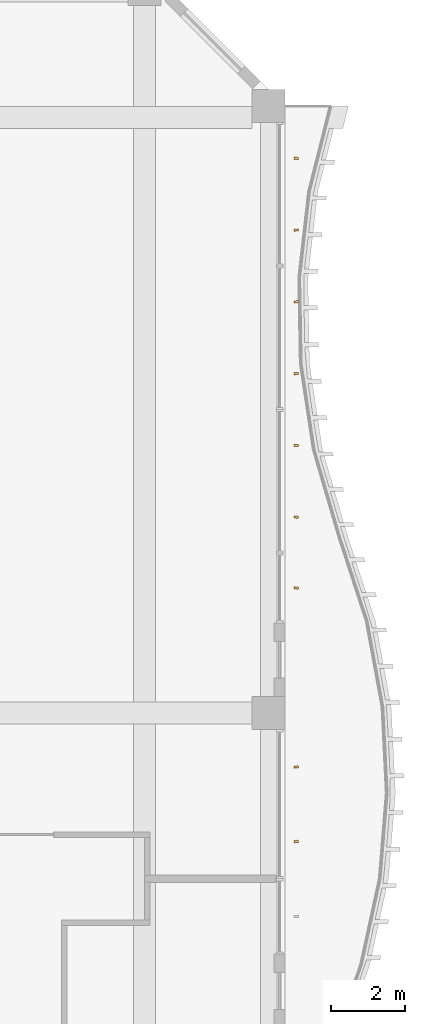
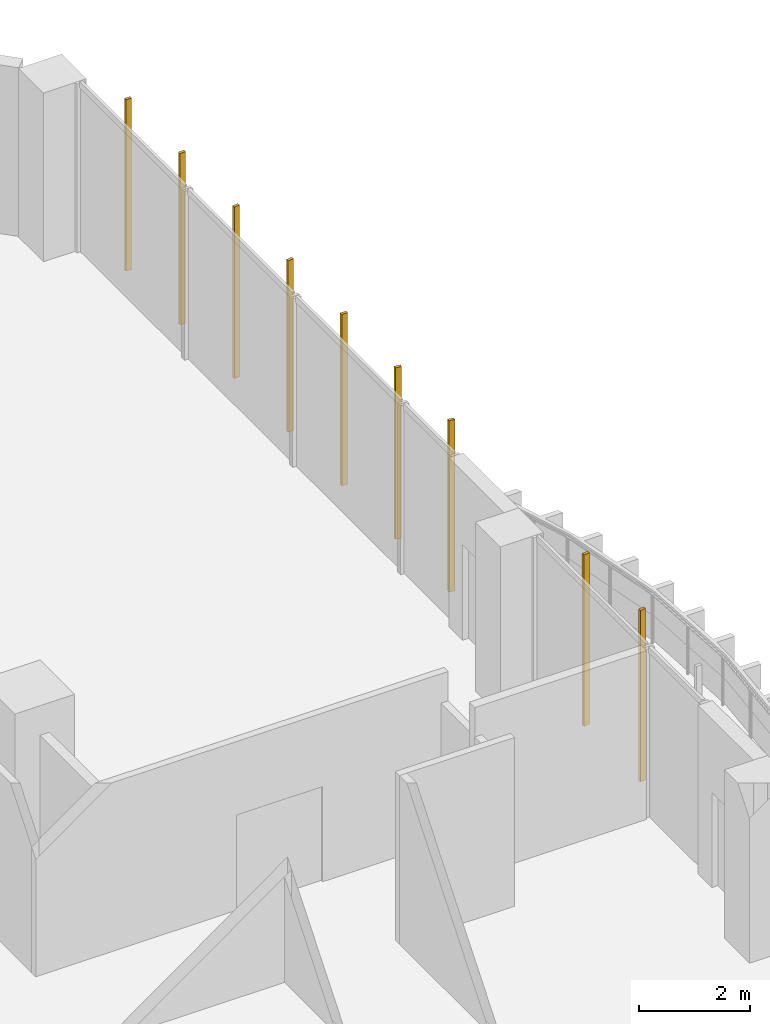
# One storey, part 28 of 28: 9 shading devices.
"""IFC4 building model written with IfcOpenShell, lengths in metres."""

from ifc_helpers import new_model, si_unit, direction, frame, origin, origin_2d, place, context, subcontext, project, spatial, rectangle, extrude, source, transform, mapped, material, material_profile, profile_set, type_object, element, save


model = new_model("IFC4")

# Units and contexts
model_context = context("Model", 3, precision=1e-05, world=origin(), true_north=direction((0.0, 1.0)))
body_context = subcontext(model_context, "Body", "Model", "MODEL_VIEW")
ifc_project = project(units=[si_unit("LENGTHUNIT", "METRE"), si_unit("AREAUNIT", "SQUARE_METRE"), si_unit("VOLUMEUNIT", "CUBIC_METRE"), si_unit("PLANEANGLEUNIT", "RADIAN"), si_unit("MASSUNIT", "GRAM", prefix="KILO")], contexts=[model_context])

# Site, building, storey
site_placement = place(None, origin())
site = spatial("IfcSite", under=ifc_project, at=site_placement, CompositionType="ELEMENT")
building_placement = place(site_placement, origin())
building = spatial("IfcBuilding", under=site, at=building_placement, Name="Kilnfold Tower and Market Hall", CompositionType="ELEMENT")
storey_placement = place(building_placement, frame((0.0, 0.0, 75.199951171875)))
storey = spatial("IfcBuildingStorey", under=building, at=storey_placement, Name="L17", CompositionType="ELEMENT", Elevation=75.199951171875)

# Shading devices
ifc_material = material(Name="Terracotta", Category="masonry")
ifc_material_profile = material_profile(ifc_material, rectangle(XDim=0.06005859375, YDim=0.1201171875, at=origin_2d()), Name="BAG 60x120")
ifc_profile_set = profile_set([ifc_material_profile], Name="Terracotta")
shading_device_type = type_object("IfcShadingDeviceType", Name="BAGUETTE", PredefinedType="USERDEFINED", material=ifc_profile_set)
shared_shape = source(origin(), body_context, "Body", "SweptSolid", [
    extrude(rectangle(XDim=0.06005859375, YDim=0.1201171875, at=origin_2d()), origin(), (0.0, 0.0, 1.0), 3.780029296875),
])
for number, where, z_axis, x_axis, name in (
    (1, (33.300048828125, 4.512451171875, 0.0), (0.0, 0.0, 1.0), (-0.135426793415, 0.990787355402, 0.0), "Terracotta baguette L17 E"),
    (2, (33.300048828125, 6.53759765625, 0.0), (0.0, 0.0, 1.0), (-0.108743692168, 0.994069821196, 0.0), "Terracotta baguette L17 E"),
    (3, (33.300048828125, 11.39990234375, 0.0), (0.0, 0.0, 1.0), (0.133641988542, 0.991029676094, 0.0), "Terracotta baguette L17 E"),
    (4, (33.300048828125, 13.324951171875, 0.0), (0.0, 0.0, 1.0), (0.116512995338, 0.993189167237, 0.0), "Terracotta baguette L17 E"),
    (5, (33.300048828125, 15.27490234375, 0.0), (0.0, 0.0, 1.0), (0.016084260797, 0.99987063991, 0.0), "Terracotta baguette L17 E"),
    (6, (33.300048828125, 17.22509765625, 0.0), (0.0, 0.0, 1.0), (-0.096014268674, 0.99537995771, 0.0), "Terracotta baguette L17 E"),
    (7, (33.300048828125, 19.175048828125, 0.0), (0.0, 0.0, 1.0), (-0.138889646875, 0.990307864248, 0.0), "Terracotta baguette L17 E"),
    (8, (33.300048828125, 21.125, 0.0), (0.0, 0.0, 1.0), (-0.082343796113, 0.996603983156, 0.0), "Terracotta baguette L17 E"),
    (9, (33.300048828125, 23.074951171875, 0.0), (0.0, 0.0, 1.0), (0.033669763032, 0.999433012791, 0.0), "Terracotta baguette L17 E"),
):
    element("IfcShadingDevice", number, at=place(storey_placement, frame(where, z_axis=z_axis, x_axis=x_axis)), inside=storey, type_object=shading_device_type, Name=name, ObjectType="BAGUETTE", PredefinedType="USERDEFINED", context=body_context, shape_type="MappedRepresentation", body=[
        mapped(shared_shape, transform((0.0, 0.0, 0.0))),
    ])

save(model, "model.ifc")
